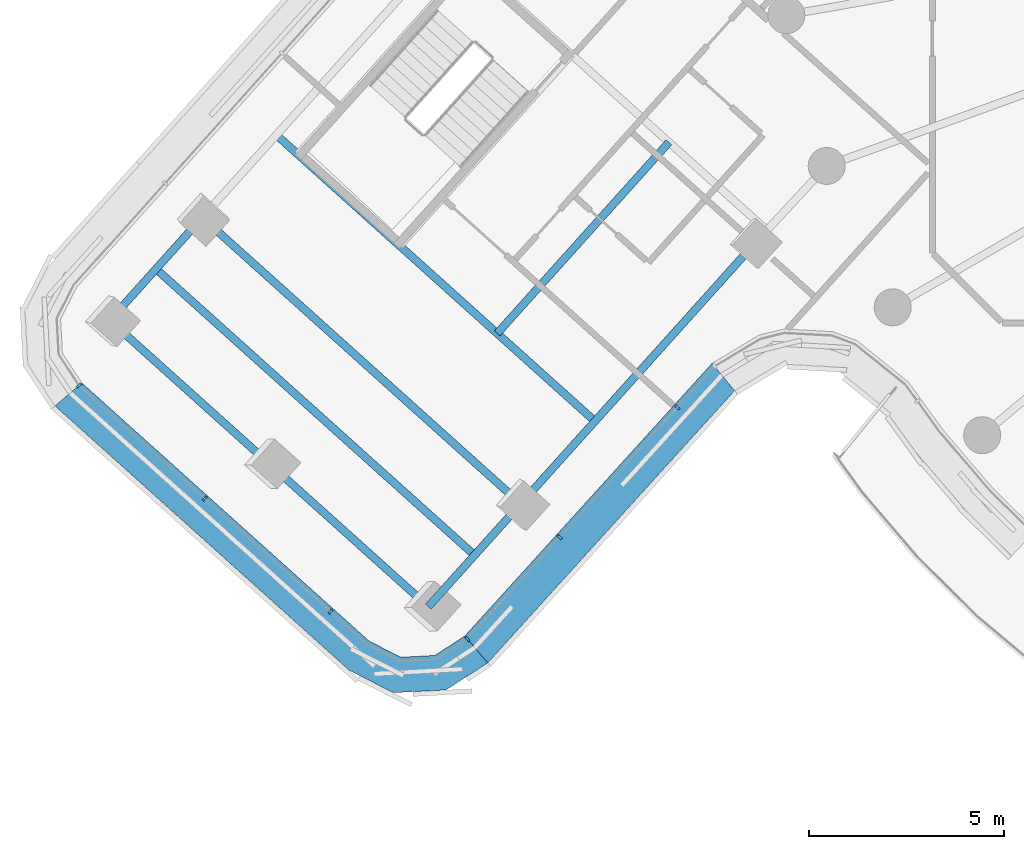
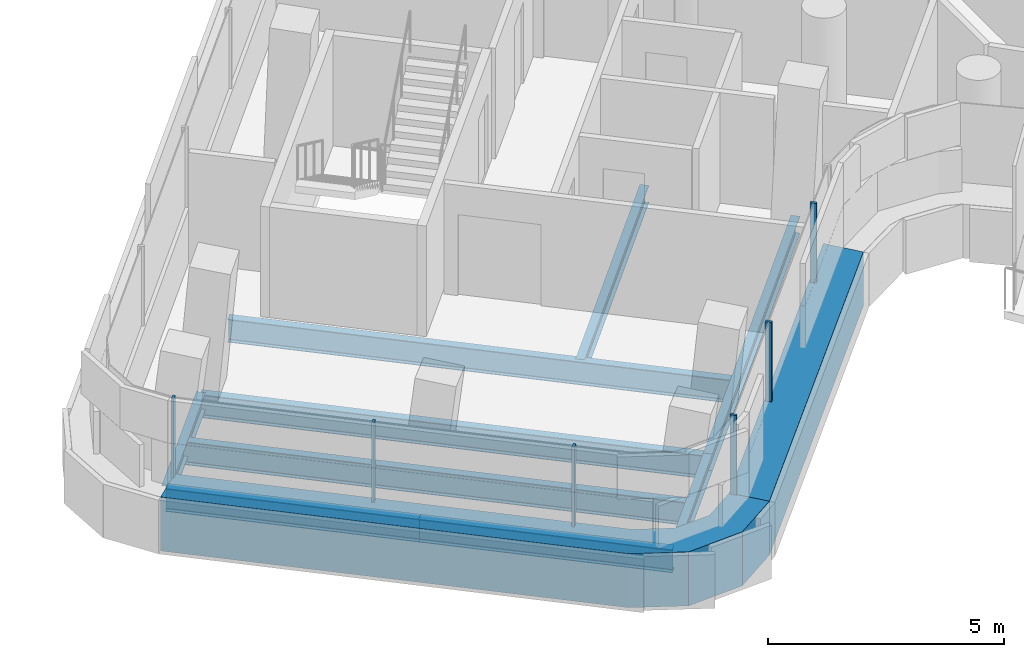
# One storey, part 2 of 31: 9 beams, 8 members, 2 elements without a shape of their own.
"""IFC4 building model written with IfcOpenShell, lengths in metres."""

from ifc_helpers import new_model, si_unit, direction, frame, origin, origin_2d, place, context, subcontext, project, spatial, polyline, rectangle, i_section, outline, extrude, material, layer, layer_set, material_profile, profile_set, type_object, element, aggregate, save


model = new_model("IFC4")

# Units and contexts
model_context = context("Model", 3, precision=1e-05, world=origin(), true_north=direction((0.0, 1.0)))
body_context = subcontext(model_context, "Body", "Model", "MODEL_VIEW")
ifc_project = project(units=[si_unit("LENGTHUNIT", "METRE"), si_unit("AREAUNIT", "SQUARE_METRE"), si_unit("VOLUMEUNIT", "CUBIC_METRE"), si_unit("PLANEANGLEUNIT", "RADIAN"), si_unit("MASSUNIT", "GRAM", prefix="KILO")], contexts=[model_context])

# Site, building, storey
site_placement = place(None, origin())
site = spatial("IfcSite", under=ifc_project, at=site_placement, CompositionType="ELEMENT")
building_placement = place(site_placement, origin())
building = spatial("IfcBuilding", under=site, at=building_placement, Name="Tamarind Cross Interchange Tower", CompositionType="ELEMENT")
storey_placement = place(building_placement, frame((0.0, 0.0, 207.699951171875)))
storey = spatial("IfcBuildingStorey", under=building, at=storey_placement, Name="L52", CompositionType="ELEMENT", Elevation=207.699951171875)

# Beams
ifc_material_1 = material(Name="Steel Q355B", Category="steel")
ifc_material_profile_1 = material_profile(ifc_material_1, i_section(OverallWidth=0.198974609375, OverallDepth=0.446044921875, WebThickness=0.008056640625, FlangeThickness=0.011962890625, FilletRadius=0.012939453125, at=origin_2d()), Name="HN 446x199x8x12")
ifc_profile_set_1 = profile_set([ifc_material_profile_1], Name="Steel Q355B")
beam_type_1 = type_object("IfcBeamType", Name="Composite beam HN 446x199x8x12 Q355B", PredefinedType="BEAM", material=ifc_profile_set_1)
for number, where, z_axis, x_axis, name in (
    (1, (-40.027587890625, -11.8349609375, -0.363037109375), (0.66836451962, 0.743833898738, 0.0), (-0.743833898738, 0.66836451962, 0.0), "Beam W-edgeem5"),
    (2, (-31.84521484375, -19.186767578125, -0.363037109375), (0.66836451962, 0.743833898738, 0.0), (-0.743833898738, 0.66836451962, 0.0), "Beam W-edgeep2"),
):
    element("IfcBeam", number, at=place(storey_placement, frame(where, z_axis=z_axis, x_axis=x_axis)), inside=storey, type_object=beam_type_1, Name=name, PredefinedType="BEAM", context=body_context, shape_type="SweptSolid", body=[
        extrude(i_section(OverallWidth=0.198974609375, OverallDepth=0.446044921875, WebThickness=0.008056640625, FlangeThickness=0.011962890625, FilletRadius=0.012939453125, at=origin_2d()), origin(), (0.0, 0.0, 1.0), 3.552001953125),
    ])
beam_1_placement = place(storey_placement, frame((-29.47119140625, -16.544677734375, -0.363037109375), z_axis=(0.668338041113, 0.743857689885, 0.0), x_axis=(-0.743857689885, 0.668338041113, 0.0)))
element("IfcBeam", 3, at=beam_1_placement, inside=storey, type_object=beam_type_1, Name="Beam W-edgeep3", PredefinedType="BEAM", context=body_context, shape_type="SweptSolid", body=[
    extrude(i_section(OverallWidth=0.198974609375, OverallDepth=0.446044921875, WebThickness=0.008056640625, FlangeThickness=0.011962890625, FilletRadius=0.012939453125, at=origin_2d()), origin(), (0.0, 0.0, 1.0), 9.000244140625),
])
beam_2_placement = place(storey_placement, frame((-25.665771484375, -7.259521484375, -0.363037109375), z_axis=(-0.668349352044, -0.743847527134, 0.0), x_axis=(0.743847527134, -0.668349352044, 0.0)))
element("IfcBeam", 4, at=beam_2_placement, inside=storey, type_object=beam_type_1, Name="Beam W-stripp", PredefinedType="BEAM", context=body_context, shape_type="SweptSolid", body=[
    extrude(i_section(OverallWidth=0.198974609375, OverallDepth=0.446044921875, WebThickness=0.008056640625, FlangeThickness=0.011962890625, FilletRadius=0.012939453125, at=origin_2d()), origin(), (0.0, 0.0, 1.0), 6.60009765625),
])
ifc_material_profile_2 = material_profile(ifc_material_1, i_section(OverallWidth=0.198974609375, OverallDepth=0.595947265625, WebThickness=0.010009765625, FlangeThickness=0.014892578125, FilletRadius=0.012939453125, at=origin_2d()), Name="HN 596x199x10x15")
ifc_profile_set_2 = profile_set([ifc_material_profile_2], Name="Steel Q355B")
beam_type_2 = type_object("IfcBeamType", Name="Composite beam HN 596x199x10x15 Q355B", PredefinedType="BEAM", material=ifc_profile_set_2)
beam_3_placement = place(storey_placement, frame((-40.027587890625, -11.8349609375, -0.43798828125), z_axis=(0.74385008514, -0.668346505069, 0.0), x_axis=(0.668346505069, 0.74385008514, 0.0)))
element("IfcBeam", 5, at=beam_3_placement, inside=storey, type_object=beam_type_2, Name="Beam W-tip0", PredefinedType="BEAM", context=body_context, shape_type="SweptSolid", body=[
    extrude(i_section(OverallWidth=0.198974609375, OverallDepth=0.595947265625, WebThickness=0.010009765625, FlangeThickness=0.014892578125, FilletRadius=0.012939453125, at=origin_2d()), origin(), (0.0, 0.0, 1.0), 5.500244140625),
])
beam_4_placement = place(storey_placement, frame((-35.936279296875, -15.510986328125, -0.43798828125), z_axis=(0.743852325196, -0.668344011944, 0.0), x_axis=(0.668344011944, 0.743852325196, 0.0)))
element("IfcBeam", 6, at=beam_4_placement, inside=storey, type_object=beam_type_2, Name="Beam W-tip1", PredefinedType="BEAM", context=body_context, shape_type="SweptSolid", body=[
    extrude(i_section(OverallWidth=0.198974609375, OverallDepth=0.595947265625, WebThickness=0.010009765625, FlangeThickness=0.014892578125, FilletRadius=0.012939453125, at=origin_2d()), origin(), (0.0, 0.0, 1.0), 5.499755859375),
])
for number, where, z_axis, x_axis, name in (
    (7, (-35.748779296875, -7.07275390625, -0.43798828125), (0.743851205133, -0.668345258546, 0.0), (0.668345258546, 0.743851205133, 0.0), "Beam W-x364"),
    (8, (-37.653564453125, -9.19287109375, -0.43798828125), (0.743851205133, -0.668345258546, 0.0), (0.668345258546, 0.743851205133, 0.0), "Beam W-x393"),
    (9, (-38.840576171875, -10.513916015625, -0.43798828125), (0.743851205133, -0.668345258546, 0.0), (0.668345258546, 0.743851205133, 0.0), "Beam W-x411"),
):
    element("IfcBeam", number, at=place(storey_placement, frame(where, z_axis=z_axis, x_axis=x_axis)), inside=storey, type_object=beam_type_2, Name=name, PredefinedType="BEAM", context=body_context, shape_type="SweptSolid", body=[
        extrude(i_section(OverallWidth=0.198974609375, OverallDepth=0.595947265625, WebThickness=0.010009765625, FlangeThickness=0.014892578125, FilletRadius=0.012939453125, at=origin_2d()), origin(), (0.0, 0.0, 1.0), 11.0),
    ])

# Curtain wall, member
ifc_material_2 = material(Name="Aluminium 6063-T6", Category="aluminium")
ifc_layer = layer(ifc_material_2, 0.139892578125)
ifc_layer_set = layer_set([ifc_layer], Name="Aluminium 6063-T6")
curtain_wall_type = type_object("IfcCurtainWallType", Name="Hotel curtain wall, 4.5 m bays", PredefinedType="NOTDEFINED", material=ifc_layer_set)
curtain_wall_1_placement = place(storey_placement, origin())
curtain_wall_1 = element("IfcCurtainWall", 10, at=curtain_wall_1_placement, inside=storey, type_object=curtain_wall_type, Name="CWS-L52-00", PredefinedType="NOTDEFINED")
ifc_material_3 = material(Name="Aluminium and insulated spandrel panel", Category="aluminium")
member_type_1 = type_object("IfcMemberType", Name="Floor-edge blade transom", PredefinedType="USERDEFINED", material=ifc_material_3)
member_1_placement = place(storey_placement, origin())
member_1 = element("IfcMember", 11, at=member_1_placement, type_object=member_type_1, Name="CWT-L52-00", ObjectType="TRANSOM", PredefinedType="USERDEFINED", context=body_context, shape_type="SweptSolid", body=[
    extrude(outline(polyline([(-40.74560546875, -13.441650390625), (-33.365966796875, -20.072265625), (-32.5498046875, -20.48681640625), (-31.676513671875, -20.440185546875), (-30.908935546875, -19.9404296875), (-30.3203125, -20.63134765625), (-31.3876953125, -21.326171875), (-32.74267578125, -21.3984375), (-33.87939453125, -20.82080078125), (-41.435302734375, -14.031982421875), (-40.74560546875, -13.441650390625)])), origin(), (0.0, 0.0, 1.0), 1.400146484375),
])

curtain_wall_2_placement = place(storey_placement, origin())
curtain_wall_2 = element("IfcCurtainWall", 12, at=curtain_wall_2_placement, inside=storey, type_object=curtain_wall_type, Name="CWS-L52-01", PredefinedType="NOTDEFINED")
member_2_placement = place(storey_placement, origin())
member_2 = element("IfcMember", 13, at=member_2_placement, type_object=member_type_1, Name="CWT-L52-01", ObjectType="TRANSOM", PredefinedType="USERDEFINED", context=body_context, shape_type="SweptSolid", body=[
    extrude(outline(polyline([(-30.908935546875, -19.9404296875), (-24.556396484375, -12.93603515625), (-23.979248046875, -13.63916015625), (-30.3203125, -20.63134765625), (-30.908935546875, -19.9404296875)])), origin(), (0.0, 0.0, 1.0), 1.400146484375),
])

# Member
ifc_material_profile_3 = material_profile(ifc_material_2, rectangle(XDim=0.06005859375, YDim=0.139892578125, at=origin_2d()), Name="Mullion CW2")
ifc_profile_set_3 = profile_set([ifc_material_profile_3], Name="Aluminium 6063-T6")
member_type_2 = type_object("IfcMemberType", Name="Mullion CW2", PredefinedType="MULLION", material=ifc_profile_set_3)
member_3_placement = place(storey_placement, frame((-40.822265625, -13.507080078125, 1.400146484375), z_axis=(0.0, 0.0, 1.0), x_axis=(0.650254595055, -0.759716369186, 0.0)))
member_3 = element("IfcMember", 14, at=member_3_placement, type_object=member_type_2, Name="CWM-L52-00-00", PredefinedType="MULLION", context=body_context, shape_type="SweptSolid", body=[
    extrude(rectangle(XDim=0.06005859375, YDim=0.139892578125, at=origin_2d()), origin(), (0.0, 0.0, 1.0), 2.059814453125),
])

member_4_placement = place(storey_placement, frame((-37.58984375, -16.41162109375, 1.400146484375), z_axis=(0.0, 0.0, 1.0), x_axis=(0.743854461689, -0.668341634065, 0.0)))
member_4 = element("IfcMember", 15, at=member_4_placement, type_object=member_type_2, Name="CWM-L52-00-01", PredefinedType="MULLION", context=body_context, shape_type="SweptSolid", body=[
    extrude(rectangle(XDim=0.06005859375, YDim=0.139892578125, at=origin_2d()), origin(), (0.0, 0.0, 1.0), 2.059814453125),
])

member_5_placement = place(storey_placement, frame((-34.357421875, -19.31591796875, 1.400146484375), z_axis=(0.0, 0.0, 1.0), x_axis=(0.743854461689, -0.668341634065, 0.0)))
member_5 = element("IfcMember", 16, at=member_5_placement, type_object=member_type_2, Name="CWM-L52-00-02", PredefinedType="MULLION", context=body_context, shape_type="SweptSolid", body=[
    extrude(rectangle(XDim=0.06005859375, YDim=0.139892578125, at=origin_2d()), origin(), (0.0, 0.0, 1.0), 2.059814453125),
])

aggregate(curtain_wall_1, [member_3, member_4, member_5, member_1])

member_6_placement = place(storey_placement, frame((-30.843505859375, -20.017333984375, 1.400146484375), z_axis=(0.0, 0.0, 1.0), x_axis=(0.761224800595, 0.648488090068, 0.0)))
member_6 = element("IfcMember", 17, at=member_6_placement, type_object=member_type_2, Name="CWM-L52-01-00", PredefinedType="MULLION", context=body_context, shape_type="SweptSolid", body=[
    extrude(rectangle(XDim=0.06005859375, YDim=0.139892578125, at=origin_2d()), origin(), (0.0, 0.0, 1.0), 2.059814453125),
])

member_7_placement = place(storey_placement, frame((-28.47314453125, -17.403564453125, 1.400146484375), z_axis=(0.0, 0.0, 1.0), x_axis=(0.671790221919, 0.74074145134, 0.0)))
member_7 = element("IfcMember", 18, at=member_7_placement, type_object=member_type_2, Name="CWM-L52-01-01", PredefinedType="MULLION", context=body_context, shape_type="SweptSolid", body=[
    extrude(rectangle(XDim=0.06005859375, YDim=0.139892578125, at=origin_2d()), origin(), (0.0, 0.0, 1.0), 2.059814453125),
])

member_8_placement = place(storey_placement, frame((-25.44873046875, -14.06884765625, 1.400146484375), z_axis=(0.0, 0.0, 1.0), x_axis=(0.671790221919, 0.74074145134, 0.0)))
member_8 = element("IfcMember", 19, at=member_8_placement, type_object=member_type_2, Name="CWM-L52-01-02", PredefinedType="MULLION", context=body_context, shape_type="SweptSolid", body=[
    extrude(rectangle(XDim=0.06005859375, YDim=0.139892578125, at=origin_2d()), origin(), (0.0, 0.0, 1.0), 2.059814453125),
])

aggregate(curtain_wall_2, [member_6, member_7, member_8, member_2])

save(model, "model.ifc")
